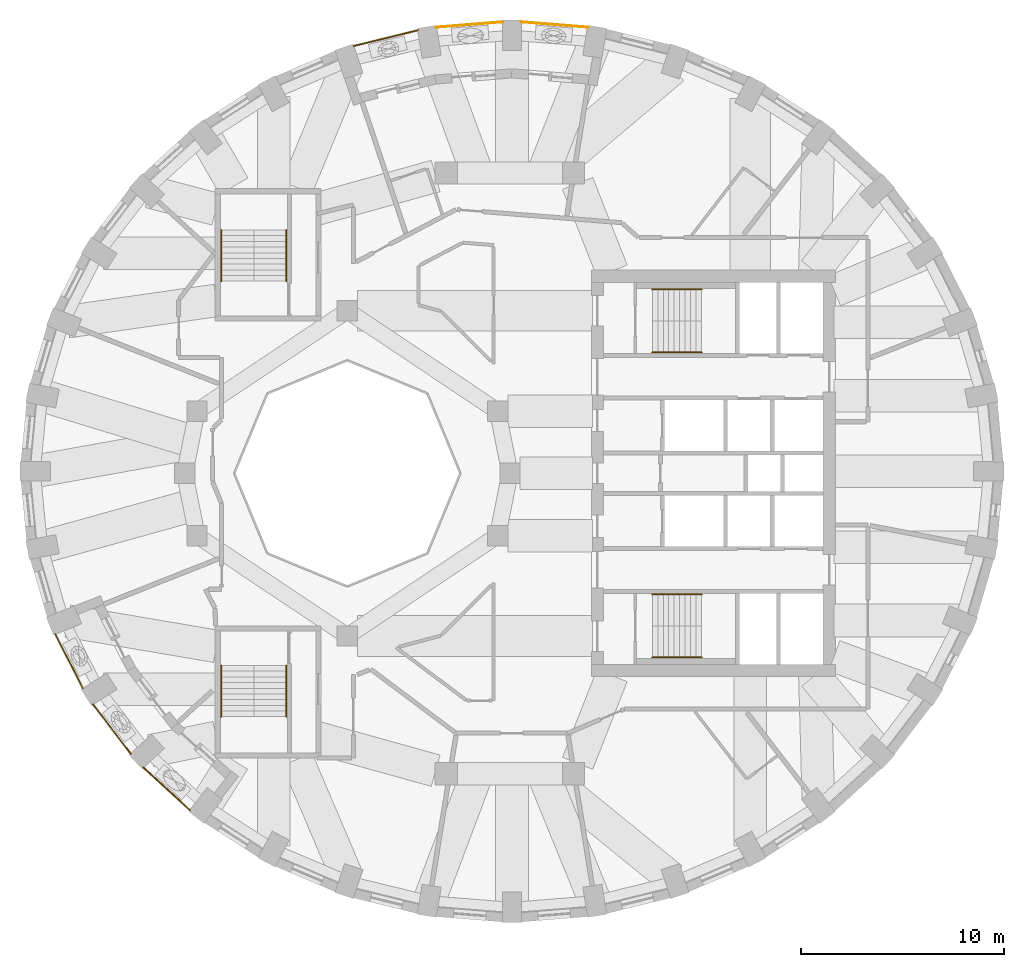
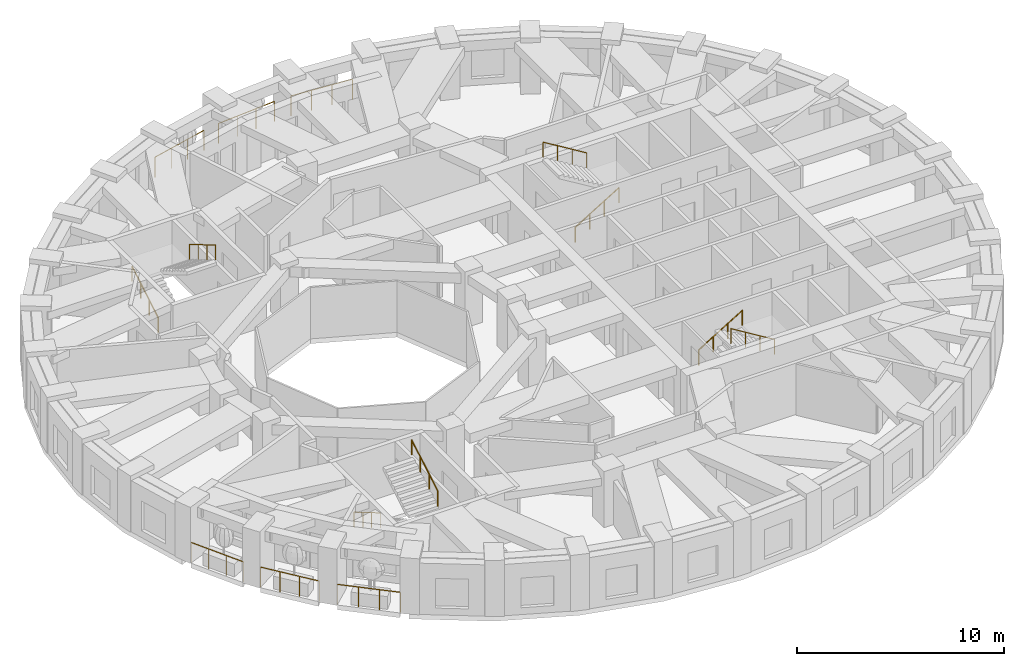
# One storey, part 9 of 11: 14 railings.
"""IFC4 building model written with IfcOpenShell, lengths in metres."""

from ifc_helpers import new_model, si_unit, direction, frame, origin, origin_2d, place, context, subcontext, project, spatial, circle, extrude, material, type_object, element, save


model = new_model("IFC4")

# Units and contexts
model_context = context("Model", 3, precision=1e-05, world=origin(), true_north=direction((0.0, 1.0)))
body_context = subcontext(model_context, "Body", "Model", "MODEL_VIEW")
ifc_project = project(units=[si_unit("LENGTHUNIT", "METRE"), si_unit("AREAUNIT", "SQUARE_METRE"), si_unit("VOLUMEUNIT", "CUBIC_METRE"), si_unit("PLANEANGLEUNIT", "RADIAN"), si_unit("MASSUNIT", "GRAM", prefix="KILO")], contexts=[model_context])

# Site, building, storey
site_placement = place(None, origin())
site = spatial("IfcSite", under=ifc_project, at=site_placement, CompositionType="ELEMENT")
building_placement = place(site_placement, origin())
building = spatial("IfcBuilding", under=site, at=building_placement, Name="Taillehof Tower", CompositionType="ELEMENT")
storey_placement = place(building_placement, frame((0.0, 0.0, 178.10009765625)))
storey = spatial("IfcBuildingStorey", under=building, at=storey_placement, Name="L50", CompositionType="ELEMENT", Elevation=178.10009765625)

# Railings
ifc_material_1 = material(Name="Stainless steel balustrade", Category="steel")
railing_type_1 = type_object("IfcRailingType", Name="Balcony guard 1200", PredefinedType="GUARDRAIL", material=ifc_material_1)
railing_1_placement = place(storey_placement, frame((-22.369384765625, -7.89794921875, 0.0)))
element("IfcRailing", 1, at=railing_1_placement, inside=storey, type_object=railing_type_1, Name="Balcony guard L50 bay 21", PredefinedType="GUARDRAIL", context=body_context, shape_type="SweptSolid", body=[
    extrude(circle(Radius=0.02392578125, at=origin_2d()), frame((0.0, 0.0, 1.17578125), z_axis=(0.454160993773, -0.89091963259, 0.0), x_axis=(0.89091963259, 0.454160993773, 0.0)), (0.0, 0.0, 1.0), 3.016357421875),
    extrude(circle(Radius=0.02099609375, at=origin_2d()), origin(), (0.0, 0.0, 1.0), 1.15185546875),
    extrude(circle(Radius=0.02099609375, at=origin_2d()), frame((0.45654296875, -0.895751953125, 0.0)), (0.0, 0.0, 1.0), 1.15185546875),
    extrude(circle(Radius=0.02099609375, at=origin_2d()), frame((0.913330078125, -1.79150390625, 0.0)), (0.0, 0.0, 1.0), 1.15185546875),
    extrude(circle(Radius=0.02099609375, at=origin_2d()), frame((1.369873046875, -2.687255859375, 0.0)), (0.0, 0.0, 1.0), 1.15185546875),
])
railing_2_placement = place(storey_placement, frame((-20.514404296875, -11.355224609375, 0.0)))
element("IfcRailing", 2, at=railing_2_placement, inside=storey, type_object=railing_type_1, Name="Balcony guard L50 bay 22", PredefinedType="GUARDRAIL", context=body_context, shape_type="SweptSolid", body=[
    extrude(circle(Radius=0.02392578125, at=origin_2d()), frame((0.0, 0.0, 1.17578125), z_axis=(0.607804631475, -0.794086601044, 0.0), x_axis=(0.794086601044, 0.607804631475, 0.0)), (0.0, 0.0, 1.0), 3.06689453125),
    extrude(circle(Radius=0.02099609375, at=origin_2d()), origin(), (0.0, 0.0, 1.0), 1.15185546875),
    extrude(circle(Radius=0.02099609375, at=origin_2d()), frame((0.621337890625, -0.811767578125, 0.0)), (0.0, 0.0, 1.0), 1.15185546875),
    extrude(circle(Radius=0.02099609375, at=origin_2d()), frame((1.24267578125, -1.62353515625, 0.0)), (0.0, 0.0, 1.0), 1.15185546875),
    extrude(circle(Radius=0.02099609375, at=origin_2d()), frame((1.864013671875, -2.435302734375, 0.0)), (0.0, 0.0, 1.0), 1.15185546875),
])
railing_3_placement = place(storey_placement, frame((-18.03564453125, -14.461669921875, 0.0)))
element("IfcRailing", 3, at=railing_3_placement, inside=storey, type_object=railing_type_1, Name="Balcony guard L50 bay 23", PredefinedType="GUARDRAIL", context=body_context, shape_type="SweptSolid", body=[
    extrude(circle(Radius=0.02392578125, at=origin_2d()), frame((0.0, 0.0, 1.17578125), z_axis=(0.737792988056, -0.675027041514, 0.0), x_axis=(0.675027041514, 0.737792988056, 0.0)), (0.0, 0.0, 1.0), 3.12353515625),
    extrude(circle(Radius=0.02099609375, at=origin_2d()), origin(), (0.0, 0.0, 1.0), 1.15185546875),
    extrude(circle(Radius=0.02099609375, at=origin_2d()), frame((0.76806640625, -0.702880859375, 0.0)), (0.0, 0.0, 1.0), 1.15185546875),
    extrude(circle(Radius=0.02099609375, at=origin_2d()), frame((1.536376953125, -1.405517578125, 0.0)), (0.0, 0.0, 1.0), 1.15185546875),
    extrude(circle(Radius=0.02099609375, at=origin_2d()), frame((2.304443359375, -2.1083984375, 0.0)), (0.0, 0.0, 1.0), 1.15185546875),
])
railing_4_placement = place(storey_placement, frame((3.8271484375, 21.94140625, 0.0)))
element("IfcRailing", 4, at=railing_4_placement, inside=storey, type_object=railing_type_1, Name="Balcony guard L50 bay 9", PredefinedType="GUARDRAIL", context=body_context, shape_type="SweptSolid", body=[
    extrude(circle(Radius=0.02392578125, at=origin_2d()), frame((0.0, 0.0, 1.17578125), z_axis=(-0.996810310205, 0.079807302108, 0.0), x_axis=(-0.079807302108, -0.996810310205, 0.0)), (0.0, 0.0, 1.0), 3.282470703125),
    extrude(circle(Radius=0.02099609375, at=origin_2d()), origin(), (0.0, 0.0, 1.0), 1.15185546875),
    extrude(circle(Radius=0.02099609375, at=origin_2d()), frame((-1.090576171875, 0.08740234375, 0.0)), (0.0, 0.0, 1.0), 1.15185546875),
    extrude(circle(Radius=0.02099609375, at=origin_2d()), frame((-2.181396484375, 0.174560546875, 0.0)), (0.0, 0.0, 1.0), 1.15185546875),
    extrude(circle(Radius=0.02099609375, at=origin_2d()), frame((-3.27197265625, 0.261962890625, 0.0)), (0.0, 0.0, 1.0), 1.15185546875),
])
railing_5_placement = place(storey_placement, frame((-0.35498046875, 22.203369140625, 0.0)))
element("IfcRailing", 5, at=railing_5_placement, inside=storey, type_object=railing_type_1, Name="Balcony guard L50 bay 10", PredefinedType="GUARDRAIL", context=body_context, shape_type="SweptSolid", body=[
    extrude(circle(Radius=0.02392578125, at=origin_2d()), frame((0.0, 0.0, 1.17578125), z_axis=(-0.996810783879, -0.079801385593, 0.0), x_axis=(0.079801385593, -0.996810783879, 0.0)), (0.0, 0.0, 1.0), 3.28271484375),
    extrude(circle(Radius=0.02099609375, at=origin_2d()), origin(), (0.0, 0.0, 1.0), 1.15185546875),
    extrude(circle(Radius=0.02099609375, at=origin_2d()), frame((-1.0908203125, -0.08740234375, 0.0)), (0.0, 0.0, 1.0), 1.15185546875),
    extrude(circle(Radius=0.02099609375, at=origin_2d()), frame((-2.181396484375, -0.174560546875, 0.0)), (0.0, 0.0, 1.0), 1.15185546875),
    extrude(circle(Radius=0.02099609375, at=origin_2d()), frame((-3.272216796875, -0.261962890625, 0.0)), (0.0, 0.0, 1.0), 1.15185546875),
])
railing_6_placement = place(storey_placement, frame((-4.525634765625, 21.79638671875, 0.0)))
element("IfcRailing", 6, at=railing_6_placement, inside=storey, type_object=railing_type_1, Name="Balcony guard L50 bay 11", PredefinedType="GUARDRAIL", context=body_context, shape_type="SweptSolid", body=[
    extrude(circle(Radius=0.02392578125, at=origin_2d()), frame((0.0, 0.0, 1.17578125), z_axis=(-0.971236963408, -0.238115016139, 0.0), x_axis=(0.238115016139, -0.971236963408, 0.0)), (0.0, 0.0, 1.0), 3.263427734375),
    extrude(circle(Radius=0.02099609375, at=origin_2d()), origin(), (0.0, 0.0, 1.0), 1.15185546875),
    extrude(circle(Radius=0.02099609375, at=origin_2d()), frame((-1.056640625, -0.259033203125, 0.0)), (0.0, 0.0, 1.0), 1.15185546875),
    extrude(circle(Radius=0.02099609375, at=origin_2d()), frame((-2.113037109375, -0.51806640625, 0.0)), (0.0, 0.0, 1.0), 1.15185546875),
    extrude(circle(Radius=0.02099609375, at=origin_2d()), frame((-3.169677734375, -0.777099609375, 0.0)), (0.0, 0.0, 1.0), 1.15185546875),
])
ifc_material_2 = material(Name="Stainless steel", Category="steel")
railing_type_2 = type_object("IfcRailingType", Name="Stair handrail 900", PredefinedType="HANDRAIL", material=ifc_material_2)
railing_7_placement = place(storey_placement, frame((7.0, 5.949951171875, 0.164794921875)))
element("IfcRailing", 7, at=railing_7_placement, inside=storey, type_object=railing_type_2, Name="Stair S1 handrail", PredefinedType="HANDRAIL", context=body_context, shape_type="SweptSolid", body=[
    extrude(circle(Radius=0.02392578125, at=origin_2d()), frame((0.0, 0.0, 0.8759765625), z_axis=(0.853258522278, 0.0, 0.521488153423), x_axis=(0.0, 1.0, 0.0)), (0.0, 0.0, 1.0), 2.847900390625),
    extrude(circle(Radius=0.02099609375, at=origin_2d()), origin(), (0.0, 0.0, 1.0), 0.851806640625),
    extrude(circle(Radius=0.02099609375, at=origin_2d()), frame((0.81005859375, 0.0, 0.4951171875)), (0.0, 0.0, 1.0), 0.851806640625),
    extrude(circle(Radius=0.02099609375, at=origin_2d()), frame((1.619873046875, 0.0, 0.989990234375)), (0.0, 0.0, 1.0), 0.851806640625),
    extrude(circle(Radius=0.02099609375, at=origin_2d()), frame((2.429931640625, 0.0, 1.485107421875)), (0.0, 0.0, 1.0), 0.851806640625),
])
railing_8_placement = place(storey_placement, frame((9.429931640625, 9.050048828125, 1.81494140625)))
element("IfcRailing", 8, at=railing_8_placement, inside=storey, type_object=railing_type_2, Name="Stair S1 handrail", PredefinedType="HANDRAIL", context=body_context, shape_type="SweptSolid", body=[
    extrude(circle(Radius=0.02392578125, at=origin_2d()), frame((0.0, 0.0, 0.8759765625), z_axis=(-0.853296667938, 0.0, 0.521425734392), x_axis=(0.0, -1.0, 0.0)), (0.0, 0.0, 1.0), 2.84765625),
    extrude(circle(Radius=0.02099609375, at=origin_2d()), origin(), (0.0, 0.0, 1.0), 0.851806640625),
    extrude(circle(Radius=0.02099609375, at=origin_2d()), frame((-0.81005859375, 0.0, 0.494873046875)), (0.0, 0.0, 1.0), 0.851806640625),
    extrude(circle(Radius=0.02099609375, at=origin_2d()), frame((-1.619873046875, 0.0, 0.989990234375)), (0.0, 0.0, 1.0), 0.851806640625),
    extrude(circle(Radius=0.02099609375, at=origin_2d()), frame((-2.429931640625, 0.0, 1.48486328125)), (0.0, 0.0, 1.0), 0.851806640625),
])
railing_9_placement = place(storey_placement, frame((7.0, -5.949951171875, 0.164794921875)))
element("IfcRailing", 9, at=railing_9_placement, inside=storey, type_object=railing_type_2, Name="Stair S2 handrail", PredefinedType="HANDRAIL", context=body_context, shape_type="SweptSolid", body=[
    extrude(circle(Radius=0.02392578125, at=origin_2d()), frame((0.0, 0.0, 0.8759765625), z_axis=(0.853258522278, 0.0, 0.521488153423), x_axis=(0.0, 1.0, 0.0)), (0.0, 0.0, 1.0), 2.847900390625),
    extrude(circle(Radius=0.02099609375, at=origin_2d()), origin(), (0.0, 0.0, 1.0), 0.851806640625),
    extrude(circle(Radius=0.02099609375, at=origin_2d()), frame((0.81005859375, 0.0, 0.4951171875)), (0.0, 0.0, 1.0), 0.851806640625),
    extrude(circle(Radius=0.02099609375, at=origin_2d()), frame((1.619873046875, 0.0, 0.989990234375)), (0.0, 0.0, 1.0), 0.851806640625),
    extrude(circle(Radius=0.02099609375, at=origin_2d()), frame((2.429931640625, 0.0, 1.485107421875)), (0.0, 0.0, 1.0), 0.851806640625),
])
railing_10_placement = place(storey_placement, frame((9.429931640625, -9.050048828125, 1.81494140625)))
element("IfcRailing", 10, at=railing_10_placement, inside=storey, type_object=railing_type_2, Name="Stair S2 handrail", PredefinedType="HANDRAIL", context=body_context, shape_type="SweptSolid", body=[
    extrude(circle(Radius=0.02392578125, at=origin_2d()), frame((0.0, 0.0, 0.8759765625), z_axis=(-0.853296667938, 0.0, 0.521425734392), x_axis=(0.0, -1.0, 0.0)), (0.0, 0.0, 1.0), 2.84765625),
    extrude(circle(Radius=0.02099609375, at=origin_2d()), origin(), (0.0, 0.0, 1.0), 0.851806640625),
    extrude(circle(Radius=0.02099609375, at=origin_2d()), frame((-0.81005859375, 0.0, 0.494873046875)), (0.0, 0.0, 1.0), 0.851806640625),
    extrude(circle(Radius=0.02099609375, at=origin_2d()), frame((-1.619873046875, 0.0, 0.989990234375)), (0.0, 0.0, 1.0), 0.851806640625),
    extrude(circle(Radius=0.02099609375, at=origin_2d()), frame((-2.429931640625, 0.0, 1.48486328125)), (0.0, 0.0, 1.0), 0.851806640625),
])
railing_11_placement = place(storey_placement, frame((-14.199951171875, 9.449951171875, 0.164794921875)))
element("IfcRailing", 11, at=railing_11_placement, inside=storey, type_object=railing_type_2, Name="Stair S3 handrail", PredefinedType="HANDRAIL", context=body_context, shape_type="SweptSolid", body=[
    extrude(circle(Radius=0.02392578125, at=origin_2d()), frame((0.0, 0.0, 0.8759765625), z_axis=(0.0, 0.86152411907, 0.507716645641), x_axis=(-1.0, 0.0, 0.0)), (0.0, 0.0, 1.0), 2.925048828125),
    extrude(circle(Radius=0.02099609375, at=origin_2d()), origin(), (0.0, 0.0, 1.0), 0.851806640625),
    extrude(circle(Radius=0.02099609375, at=origin_2d()), frame((0.0, 0.840087890625, 0.4951171875)), (0.0, 0.0, 1.0), 0.851806640625),
    extrude(circle(Radius=0.02099609375, at=origin_2d()), frame((0.0, 1.679931640625, 0.989990234375)), (0.0, 0.0, 1.0), 0.851806640625),
    extrude(circle(Radius=0.02099609375, at=origin_2d()), frame((0.0, 2.52001953125, 1.485107421875)), (0.0, 0.0, 1.0), 0.851806640625),
])
railing_12_placement = place(storey_placement, frame((-11.0, 11.969970703125, 1.81494140625)))
element("IfcRailing", 12, at=railing_12_placement, inside=storey, type_object=railing_type_2, Name="Stair S3 handrail", PredefinedType="HANDRAIL", context=body_context, shape_type="SweptSolid", body=[
    extrude(circle(Radius=0.02392578125, at=origin_2d()), frame((0.0, 0.0, 0.8759765625), z_axis=(0.0, -0.861560626758, 0.507654692109), x_axis=(1.0, 0.0, 0.0)), (0.0, 0.0, 1.0), 2.925048828125),
    extrude(circle(Radius=0.02099609375, at=origin_2d()), origin(), (0.0, 0.0, 1.0), 0.851806640625),
    extrude(circle(Radius=0.02099609375, at=origin_2d()), frame((0.0, -0.840087890625, 0.494873046875)), (0.0, 0.0, 1.0), 0.851806640625),
    extrude(circle(Radius=0.02099609375, at=origin_2d()), frame((0.0, -1.679931640625, 0.989990234375)), (0.0, 0.0, 1.0), 0.851806640625),
    extrude(circle(Radius=0.02099609375, at=origin_2d()), frame((0.0, -2.52001953125, 1.48486328125)), (0.0, 0.0, 1.0), 0.851806640625),
])
railing_13_placement = place(storey_placement, frame((-14.199951171875, -9.449951171875, 0.164794921875)))
element("IfcRailing", 13, at=railing_13_placement, inside=storey, type_object=railing_type_2, Name="Stair S4 handrail", PredefinedType="HANDRAIL", context=body_context, shape_type="SweptSolid", body=[
    extrude(circle(Radius=0.02392578125, at=origin_2d()), frame((0.0, 0.0, 0.8759765625), z_axis=(0.0, -0.86152411907, 0.507716645641), x_axis=(1.0, 0.0, 0.0)), (0.0, 0.0, 1.0), 2.925048828125),
    extrude(circle(Radius=0.02099609375, at=origin_2d()), origin(), (0.0, 0.0, 1.0), 0.851806640625),
    extrude(circle(Radius=0.02099609375, at=origin_2d()), frame((0.0, -0.840087890625, 0.4951171875)), (0.0, 0.0, 1.0), 0.851806640625),
    extrude(circle(Radius=0.02099609375, at=origin_2d()), frame((0.0, -1.679931640625, 0.989990234375)), (0.0, 0.0, 1.0), 0.851806640625),
    extrude(circle(Radius=0.02099609375, at=origin_2d()), frame((0.0, -2.52001953125, 1.485107421875)), (0.0, 0.0, 1.0), 0.851806640625),
])
railing_14_placement = place(storey_placement, frame((-11.0, -11.969970703125, 1.81494140625)))
element("IfcRailing", 14, at=railing_14_placement, inside=storey, type_object=railing_type_2, Name="Stair S4 handrail", PredefinedType="HANDRAIL", context=body_context, shape_type="SweptSolid", body=[
    extrude(circle(Radius=0.02392578125, at=origin_2d()), frame((0.0, 0.0, 0.8759765625), z_axis=(0.0, 0.861560626758, 0.507654692109), x_axis=(-1.0, 0.0, 0.0)), (0.0, 0.0, 1.0), 2.925048828125),
    extrude(circle(Radius=0.02099609375, at=origin_2d()), origin(), (0.0, 0.0, 1.0), 0.851806640625),
    extrude(circle(Radius=0.02099609375, at=origin_2d()), frame((0.0, 0.840087890625, 0.494873046875)), (0.0, 0.0, 1.0), 0.851806640625),
    extrude(circle(Radius=0.02099609375, at=origin_2d()), frame((0.0, 1.679931640625, 0.989990234375)), (0.0, 0.0, 1.0), 0.851806640625),
    extrude(circle(Radius=0.02099609375, at=origin_2d()), frame((0.0, 2.52001953125, 1.48486328125)), (0.0, 0.0, 1.0), 0.851806640625),
])

save(model, "model.ifc")
